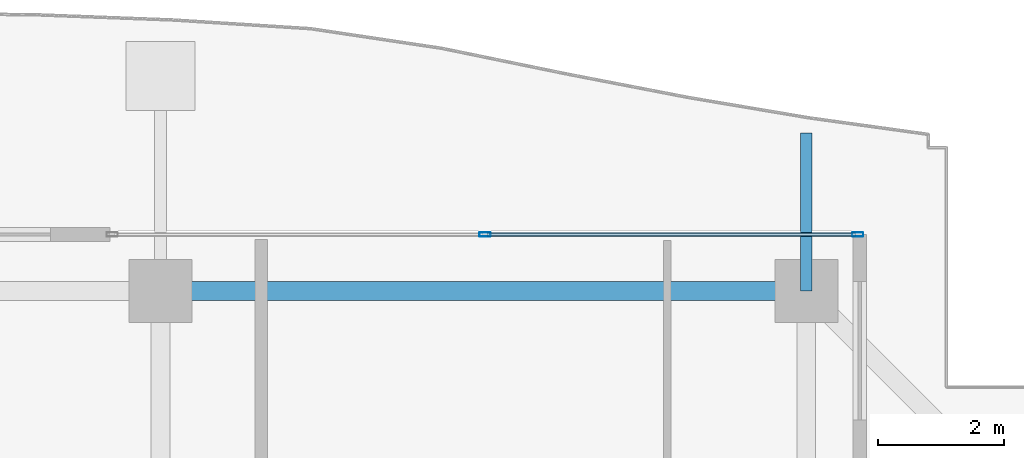
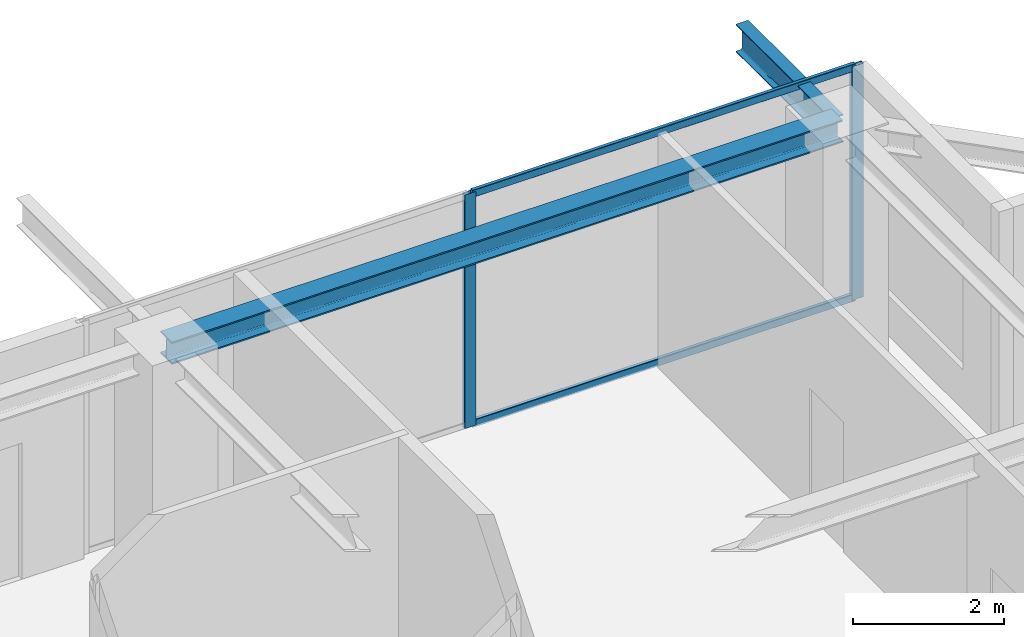
# One storey, part 26 of 40: 4 members, 2 beams, 1 element without a shape of its own.
"""IFC4 building model written with IfcOpenShell, lengths in metres."""

from ifc_helpers import new_model, si_unit, direction, frame, origin, origin_2d, place, context, subcontext, project, spatial, hollow_rectangle, i_section, extrude, source, transform, mapped, material, layer, layer_set, material_profile, profile_set, type_object, element, aggregate, save


model = new_model("IFC4")

# Units and contexts
model_context = context("Model", 3, precision=1e-05, world=origin(), true_north=direction((0.0, 1.0)))
body_context = subcontext(model_context, "Body", "Model", "MODEL_VIEW")
ifc_project = project(units=[si_unit("LENGTHUNIT", "METRE"), si_unit("AREAUNIT", "SQUARE_METRE"), si_unit("VOLUMEUNIT", "CUBIC_METRE"), si_unit("PLANEANGLEUNIT", "RADIAN"), si_unit("MASSUNIT", "GRAM", prefix="KILO")], contexts=[model_context])

# Site, building, storey
site_placement = place(None, origin())
site = spatial("IfcSite", under=ifc_project, at=site_placement, CompositionType="ELEMENT")
building_placement = place(site_placement, origin())
building = spatial("IfcBuilding", under=site, at=building_placement, Name="Serunith Strait Residences", CompositionType="ELEMENT")
storey_placement = place(building_placement, frame((0.0, 0.0, 313.699951171875)))
storey = spatial("IfcBuildingStorey", under=building, at=storey_placement, Name="L78", CompositionType="ELEMENT", Elevation=313.699951171875)

# Beams
ifc_material_1 = material(Name="Steel S355J2", Category="steel")
ifc_material_profile_1 = material_profile(ifc_material_1, i_section(OverallWidth=0.300048828125, OverallDepth=0.360107421875, WebThickness=0.012451171875, FlangeThickness=0.0224609375, FilletRadius=0.027099609375, at=origin_2d()), Name="HEB 360")
ifc_profile_set_1 = profile_set([ifc_material_profile_1], Name="Steel S355J2")
beam_type_1 = type_object("IfcBeamType", Name="BM-HEB360", PredefinedType="BEAM", material=ifc_profile_set_1)
shared_shape_1 = source(origin(), body_context, "Body", "SweptSolid", [
    extrude(i_section(OverallWidth=0.300048828125, OverallDepth=0.360107421875, WebThickness=0.012451171875, FlangeThickness=0.0224609375, FilletRadius=0.027099609375, at=origin_2d()), origin(), (0.0, 0.0, 1.0), 10.25),
])
beam_1_placement = place(storey_placement, frame((47.14990234375, 47.10009765625, 3.60693359375), z_axis=(-1.0, 0.0, 0.0), x_axis=(0.0, -1.0, 0.0)))
element("IfcBeam", 1, at=beam_1_placement, inside=storey, type_object=beam_type_1, Name="L78 Perimeter Ring Beam 09", PredefinedType="BEAM", context=body_context, shape_type="MappedRepresentation", body=[
    mapped(shared_shape_1, transform((0.0, 0.0, 0.0), scale=1.0)),
])
ifc_material_profile_2 = material_profile(ifc_material_1, i_section(OverallWidth=0.18994140625, OverallDepth=0.449951171875, WebThickness=0.009521484375, FlangeThickness=0.0146484375, FilletRadius=0.02099609375, at=origin_2d()), Name="IPE 450")
ifc_profile_set_2 = profile_set([ifc_material_profile_2], Name="Steel S355J2")
beam_type_2 = type_object("IfcBeamType", Name="BM-IPE450", PredefinedType="JOIST", material=ifc_profile_set_2)
shared_shape_2 = source(origin(), body_context, "Body", "SweptSolid", [
    extrude(i_section(OverallWidth=0.18994140625, OverallDepth=0.449951171875, WebThickness=0.009521484375, FlangeThickness=0.0146484375, FilletRadius=0.02099609375, at=origin_2d()), origin(), (0.0, 0.0, 1.0), 2.511962890625),
])
beam_2_placement = place(storey_placement, frame((47.14990234375, 47.10009765625, 3.531982421875), z_axis=(0.0, 1.0, 0.0), x_axis=(-1.0, 0.0, 0.0)))
element("IfcBeam", 2, at=beam_2_placement, inside=storey, type_object=beam_type_2, Name="L79 Cantilevered Balcony Rib TC-N4", PredefinedType="JOIST", context=body_context, shape_type="MappedRepresentation", body=[
    mapped(shared_shape_2, transform((0.0, 0.0, 0.0), scale=1.0)),
])

# Curtain wall, members
ifc_material_2 = material(Name="Brushed Stainless-Silver Aluminium", Category="aluminium")
ifc_layer = layer(ifc_material_2, 0.199951171875, Name="Brushed Stainless-Silver Aluminium")
ifc_layer_set = layer_set([ifc_layer], Name="Brushed Stainless-Silver Aluminium")
curtain_wall_type = type_object("IfcCurtainWallType", Name="CW-SYS5", PredefinedType="NOTDEFINED", material=ifc_layer_set)
curtain_wall_placement = place(storey_placement, origin())
curtain_wall = element("IfcCurtainWall", 3, at=curtain_wall_placement, inside=storey, type_object=curtain_wall_type, Name="L78 N Unitised Fritted Curtain Wall", PredefinedType="NOTDEFINED")
ifc_material_profile_3 = material_profile(ifc_material_2, hollow_rectangle(XDim=0.06494140625, YDim=0.179931640625, WallThickness=0.00341796875, InnerFilletRadius=0.00537109375, OuterFilletRadius=0.0087890625, at=origin_2d()), Name="ALU 180x65x3.5")
ifc_profile_set_3 = profile_set([ifc_material_profile_3], Name="Brushed Stainless-Silver Aluminium")
member_type_1 = type_object("IfcMemberType", Name="CW-SYS5-MULL", PredefinedType="MULLION", material=ifc_profile_set_3)
shared_shape_3 = source(origin(), body_context, "Body", "SweptSolid", [
    extrude(hollow_rectangle(XDim=0.06494140625, YDim=0.179931640625, WallThickness=0.00341796875, InnerFilletRadius=0.00537109375, OuterFilletRadius=0.0087890625, at=origin_2d()), origin(), (0.0, 0.0, 1.0), 3.775146484375),
])
member_1_placement = place(storey_placement, frame((47.967529296875, 48.0, 0.0), z_axis=(0.0, 0.0, 1.0), x_axis=(0.0, -1.0, 0.0)))
member_1 = element("IfcMember", 4, at=member_1_placement, type_object=member_type_1, Name="CW-5 mullion 1", PredefinedType="MULLION", context=body_context, shape_type="MappedRepresentation", body=[
    mapped(shared_shape_3, transform((0.0, 0.0, 0.0), scale=1.0)),
])
member_2_placement = place(storey_placement, frame((42.050048828125, 48.0, 0.0), z_axis=(0.0, 0.0, 1.0), x_axis=(0.0, -1.0, 0.0)))
member_2 = element("IfcMember", 5, at=member_2_placement, type_object=member_type_1, Name="CW-5 mullion 2", PredefinedType="MULLION", context=body_context, shape_type="MappedRepresentation", body=[
    mapped(shared_shape_3, transform((0.0, 0.0, 0.0), scale=1.0)),
])
ifc_material_profile_4 = material_profile(ifc_material_2, hollow_rectangle(XDim=0.06005859375, YDim=0.1201171875, WallThickness=0.00341796875, InnerFilletRadius=0.00537109375, OuterFilletRadius=0.0087890625, at=origin_2d()), Name="ALU 120x60x3.5")
ifc_profile_set_4 = profile_set([ifc_material_profile_4], Name="Brushed Stainless-Silver Aluminium")
member_type_2 = type_object("IfcMemberType", Name="CW-SYS5-TRAN", PredefinedType="USERDEFINED", material=ifc_profile_set_4)
shared_shape_4 = source(origin(), body_context, "Body", "SweptSolid", [
    extrude(hollow_rectangle(XDim=0.06005859375, YDim=0.1201171875, WallThickness=0.00341796875, InnerFilletRadius=0.00537109375, OuterFilletRadius=0.0087890625, at=origin_2d()), origin(), (0.0, 0.0, 1.0), 5.8525390625),
])
member_3_placement = place(storey_placement, frame((47.93505859375, 48.0, 0.030029296875), z_axis=(-1.0, 0.0, 0.0), x_axis=(0.0, -1.0, 0.0)))
member_3 = element("IfcMember", 6, at=member_3_placement, type_object=member_type_2, Name="CW-5 transom 1.1", ObjectType="TRANSOM", PredefinedType="USERDEFINED", context=body_context, shape_type="MappedRepresentation", body=[
    mapped(shared_shape_4, transform((0.0, 0.0, 0.0), scale=1.0)),
])
member_4_placement = place(storey_placement, frame((47.93505859375, 48.0, 3.7451171875), z_axis=(-1.0, 0.0, 0.0), x_axis=(0.0, -1.0, 0.0)))
member_4 = element("IfcMember", 7, at=member_4_placement, type_object=member_type_2, Name="CW-5 transom 1.2", ObjectType="TRANSOM", PredefinedType="USERDEFINED", context=body_context, shape_type="MappedRepresentation", body=[
    mapped(shared_shape_4, transform((0.0, 0.0, 0.0), scale=1.0)),
])
aggregate(curtain_wall, [member_1, member_2, member_3, member_4])

save(model, "model.ifc")
